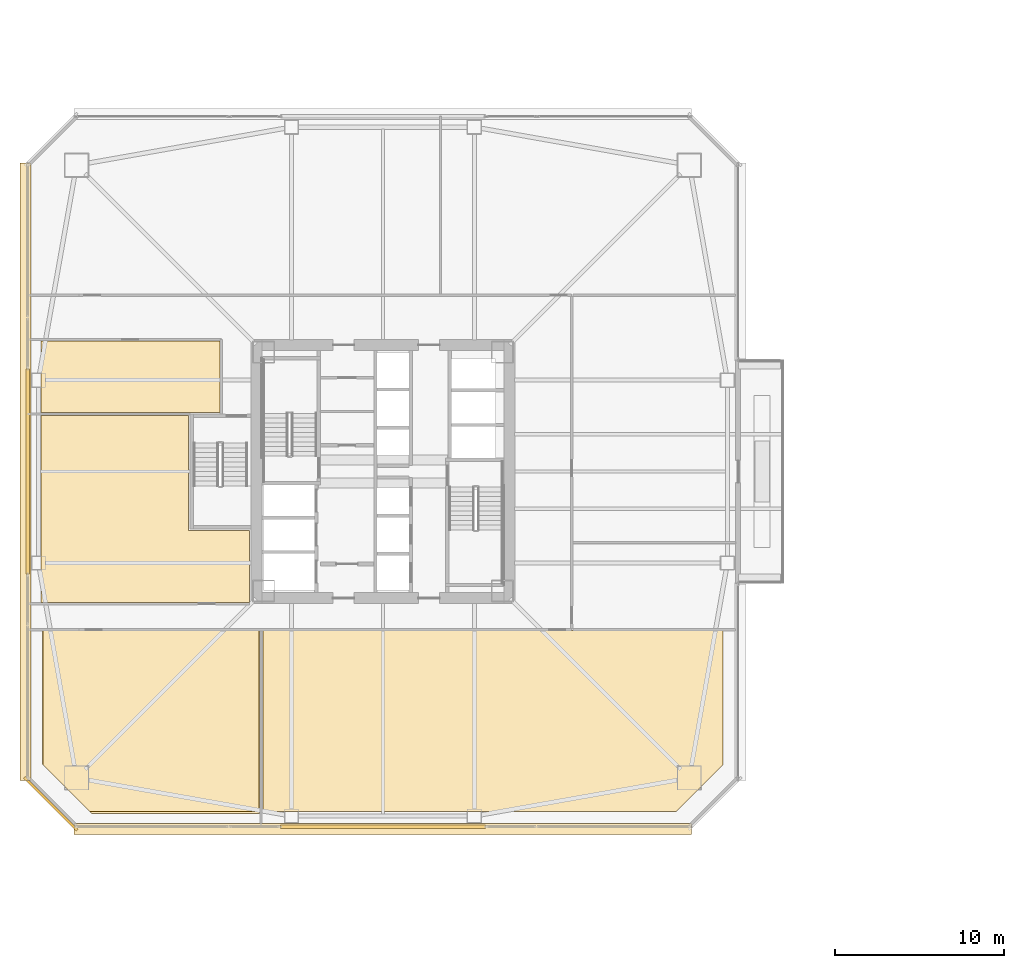
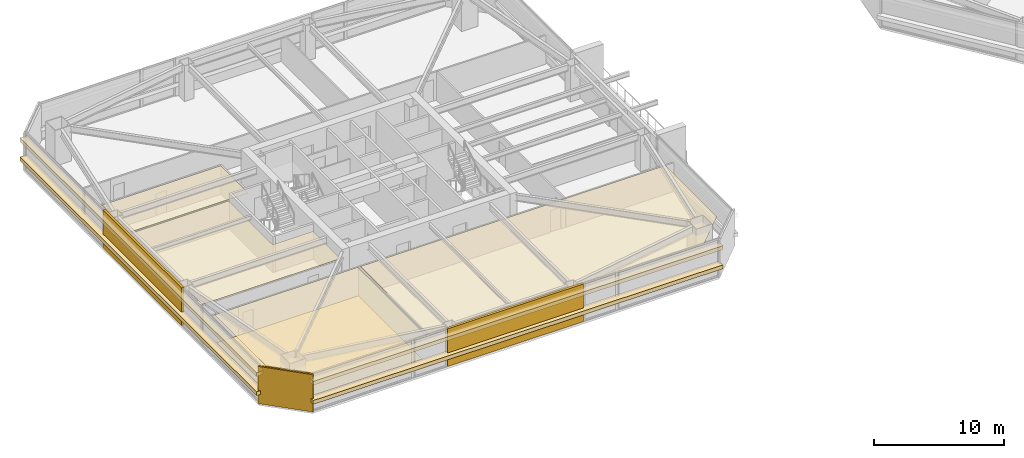
# One storey, part 40 of 46: 12 coverings.
"""IFC4 building model written with IfcOpenShell, lengths in metres."""

from ifc_helpers import new_model, si_unit, direction, frame, origin, origin_2d, place, context, subcontext, project, spatial, polyline, rectangle, outline, extrude, material, layer, layer_set, type_object, element, save


model = new_model("IFC4")

# Units and contexts
model_context = context("Model", 3, precision=1e-05, world=origin(), true_north=direction((0.0, 1.0)))
body_context = subcontext(model_context, "Body", "Model", "MODEL_VIEW")
ifc_project = project(units=[si_unit("LENGTHUNIT", "METRE"), si_unit("AREAUNIT", "SQUARE_METRE"), si_unit("VOLUMEUNIT", "CUBIC_METRE"), si_unit("PLANEANGLEUNIT", "RADIAN"), si_unit("MASSUNIT", "GRAM", prefix="KILO")], contexts=[model_context])

# Site, building, storey
site_placement = place(None, origin())
site = spatial("IfcSite", under=ifc_project, at=site_placement, CompositionType="ELEMENT")
building_placement = place(site_placement, origin())
building = spatial("IfcBuilding", under=site, at=building_placement, Name="Tashvorn Skyway Center", CompositionType="ELEMENT")
storey_placement = place(building_placement, frame((0.0, 0.0, 99.14990234375)))
storey = spatial("IfcBuildingStorey", under=building, at=storey_placement, Name="L26", CompositionType="ELEMENT", Elevation=99.14990234375)

# Coverings
ifc_material_1 = material(Name="Precast concrete C40/50", Category="concrete")
ifc_layer_1 = layer(ifc_material_1, 0.199951171875)
ifc_layer_set_1 = layer_set([ifc_layer_1], Name="Precast concrete C40/50")
covering_type_1 = type_object("IfcCoveringType", Name="COV-BRACE-CLAD", PredefinedType="CLADDING", material=ifc_layer_set_1)
for number, where, z_axis, x_axis, name in (
    (1, (42.0, 11.02001953125, 0.0), (0.0, 0.0, 1.0), (-1.0, 0.0, 0.0), "Tower 1 L26 South Unitised Curtain Wall Mega-Brace Cladding Band 1"),
    (2, (21.02001953125, 32.0, 0.0), (0.0, 0.0, 1.0), (0.0, 1.0, 0.0), "Tower 1 L26 West Unitised Curtain Wall Mega-Brace Cladding Band 1"),
):
    element("IfcCovering", number, at=place(storey_placement, frame(where, z_axis=z_axis, x_axis=x_axis)), inside=storey, type_object=covering_type_1, Name=name, PredefinedType="CLADDING", context=body_context, shape_type="SweptSolid", body=[
        extrude(rectangle(XDim=12.1201171875, YDim=0.199951171875, at=origin_2d()), origin(), (0.0, 0.0, 1.0), 3.550048828125),
    ])
ifc_material_2 = material(Name="Mineral-fibre acoustic ceiling tile on suspended grid")
ifc_layer_2 = layer(ifc_material_2, 0.02001953125)
ifc_layer_set_2 = layer_set([ifc_layer_2], Name="Mineral-fibre acoustic ceiling tile on suspended grid")
covering_type_2 = type_object("IfcCoveringType", Name="COV-CEIL-20", PredefinedType="CEILING", material=ifc_layer_set_2)
covering_1_placement = place(storey_placement, frame((0.0, 0.0, 2.68310546875)))
element("IfcCovering", 3, at=covering_1_placement, inside=storey, type_object=covering_type_2, Name="Tower 1 L26 Wellness Clinic Acoustic Ceiling", PredefinedType="CEILING", context=body_context, shape_type="SweptSolid", body=[
    extrude(outline(polyline([(21.919921875, 22.610107421875), (34.679931640625, 22.610107421875), (34.679931640625, 11.919921875), (24.679931640625, 11.919921875), (21.919921875, 14.679931640625), (21.919921875, 22.610107421875)])), origin(), (0.0, 0.0, 1.0), 0.02001953125),
])
covering_2_placement = place(storey_placement, frame((0.0, 0.0, 2.68310546875)))
element("IfcCovering", 4, at=covering_2_placement, inside=storey, type_object=covering_type_2, Name="Tower 1 L26 Security Control Room Acoustic Ceiling", PredefinedType="CEILING", context=body_context, shape_type="SweptSolid", body=[
    extrude(outline(polyline([(34.919921875, 11.919921875), (34.919921875, 22.610107421875), (62.080078125, 22.610107421875), (62.080078125, 14.679931640625), (59.320068359375, 11.919921875), (34.919921875, 11.919921875)])), origin(), (0.0, 0.0, 1.0), 0.02001953125),
])
covering_3_placement = place(storey_placement, frame((0.0, 0.0, 2.68310546875)))
element("IfcCovering", 5, at=covering_3_placement, inside=storey, type_object=covering_type_2, Name="Tower 1 L26 Corporate Office Acoustic Ceiling", PredefinedType="CEILING", context=body_context, shape_type="SweptSolid", body=[
    extrude(outline(polyline([(32.3701171875, 39.719970703125), (32.3701171875, 35.47998046875), (21.800048828125, 35.47998046875), (21.800048828125, 39.719970703125), (32.3701171875, 39.719970703125)])), origin(), (0.0, 0.0, 1.0), 0.02001953125),
])
covering_4_placement = place(storey_placement, frame((0.0, 0.0, 2.68310546875)))
element("IfcCovering", 6, at=covering_4_placement, inside=storey, type_object=covering_type_2, Name="Tower 1 L26 Public Restroom Acoustic Ceiling", PredefinedType="CEILING", context=body_context, shape_type="SweptSolid", body=[
    extrude(outline(polyline([(34.1201171875, 24.280029296875), (21.800048828125, 24.280029296875), (21.800048828125, 28.52001953125), (21.800048828125, 35.320068359375), (30.52001953125, 35.320068359375), (30.52001953125, 28.52001953125), (34.1201171875, 28.52001953125), (34.1201171875, 24.280029296875)])), origin(), (0.0, 0.0, 1.0), 0.02001953125),
])
ifc_material_3 = material(Name="Polished Mojave desert-aggregate terrazzo and cover plate")
ifc_layer_3 = layer(ifc_material_3, 0.0400390625)
ifc_layer_set_3 = layer_set([ifc_layer_3], Name="Polished Mojave desert-aggregate terrazzo and cover plate")
covering_type_3 = type_object("IfcCoveringType", Name="COV-FLR-40", PredefinedType="FLOORING", material=ifc_layer_set_3)
covering_5_placement = place(storey_placement, origin())
element("IfcCovering", 7, at=covering_5_placement, inside=storey, type_object=covering_type_3, Name="Tower 1 L26 Wellness Clinic Finish Flooring", PredefinedType="FLOORING", context=body_context, shape_type="SweptSolid", body=[
    extrude(outline(polyline([(24.800048828125, 11.800048828125), (21.8798828125, 14.719970703125), (21.8798828125, 22.570068359375), (34.719970703125, 22.570068359375), (34.719970703125, 11.800048828125), (24.800048828125, 11.800048828125)])), origin(), (0.0, 0.0, 1.0), 0.0400390625),
])
ifc_material_4 = material(Name="Perforated ceramic-coated bronze aluminium solar screen", Category="aluminium")
ifc_layer_4 = layer(ifc_material_4, 0.85009765625)
ifc_layer_set_4 = layer_set([ifc_layer_4], Name="Perforated ceramic-coated bronze aluminium solar screen")
covering_type_4 = type_object("IfcCoveringType", Name="COV-SOLAR-BAND", PredefinedType="CLADDING", material=ifc_layer_set_4)
for number, where, z_axis, x_axis, name in (
    (8, (42.0, 10.8798828125, 0.919921875), (0.0, 0.0, 1.0), (-1.0, 0.0, 0.0), "L26 Perforated Ceramic-Metal Solar Screen Louvre Band South 1"),
    (9, (42.0, 10.8798828125, 2.72021484375), (0.0, 0.0, 1.0), (-1.0, 0.0, 0.0), "L26 Perforated Ceramic-Metal Solar Screen Louvre Band South 2"),
    (10, (20.8798828125, 32.0, 0.919921875), (0.0, 0.0, 1.0), (0.0, 1.0, 0.0), "L26 Perforated Ceramic-Metal Solar Screen Louvre Band West 1"),
    (11, (20.8798828125, 32.0, 2.72021484375), (0.0, 0.0, 1.0), (0.0, 1.0, 0.0), "L26 Perforated Ceramic-Metal Solar Screen Louvre Band West 2"),
):
    element("IfcCovering", number, at=place(storey_placement, frame(where, z_axis=z_axis, x_axis=x_axis)), inside=storey, type_object=covering_type_4, Name=name, PredefinedType="CLADDING", context=body_context, shape_type="SweptSolid", body=[
        extrude(rectangle(XDim=36.47998046875, YDim=0.639892578125, at=origin_2d()), origin(), (0.0, 0.0, 1.0), 0.360107421875),
    ])
ifc_layer_5 = layer(ifc_material_1, 0.35009765625)
ifc_layer_set_5 = layer_set([ifc_layer_5], Name="Precast concrete C40/50")
covering_type_5 = type_object("IfcCoveringType", Name="COV-STONE-TRIM", PredefinedType="CLADDING", material=ifc_layer_set_5)
covering_6_placement = place(storey_placement, frame((22.3798828125, 12.3798828125, 0.02001953125), z_axis=(0.0, 0.0, 1.0), x_axis=(-0.707106781187, 0.707106781187, 0.0)))
element("IfcCovering", 12, at=covering_6_placement, inside=storey, type_object=covering_type_5, Name="Tower 1 L26 SW Mojave Limestone Corner Quoin", PredefinedType="CLADDING", context=body_context, shape_type="SweptSolid", body=[
    extrude(rectangle(XDim=4.402587890625, YDim=0.139892578125, at=origin_2d()), origin(), (0.0, 0.0, 1.0), 3.510009765625),
])

save(model, "model.ifc")
